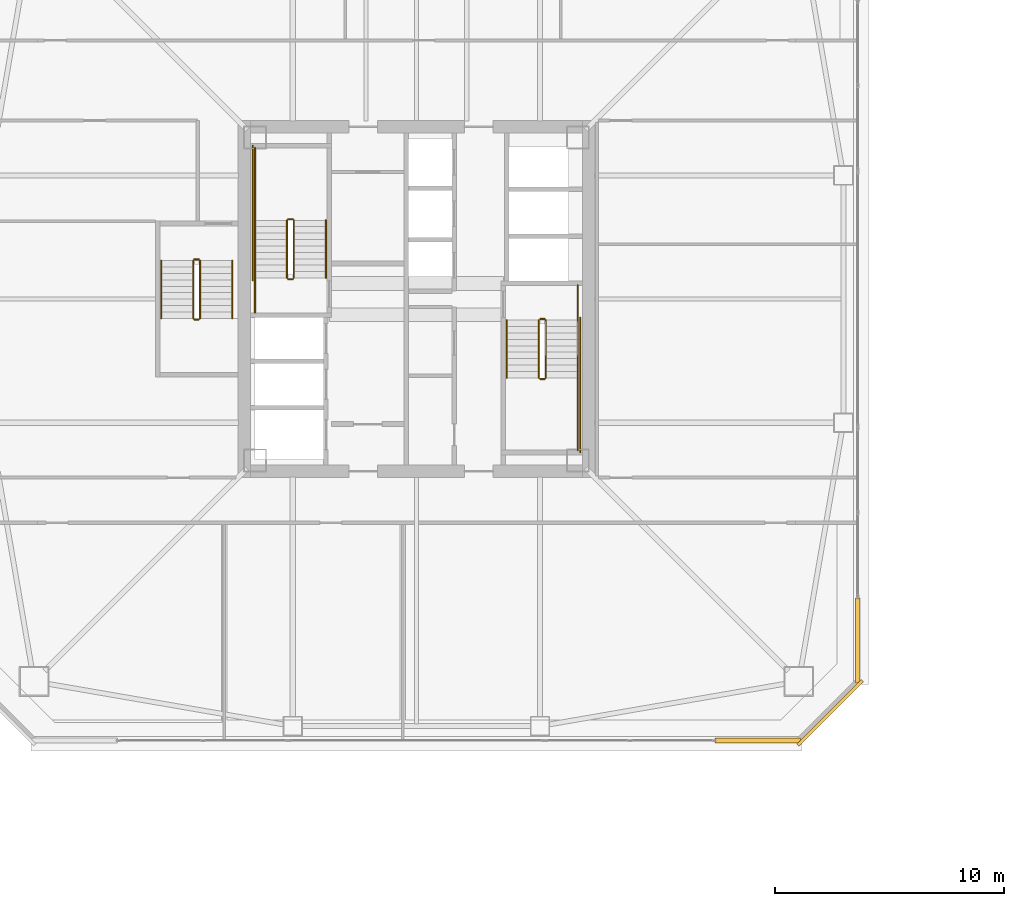
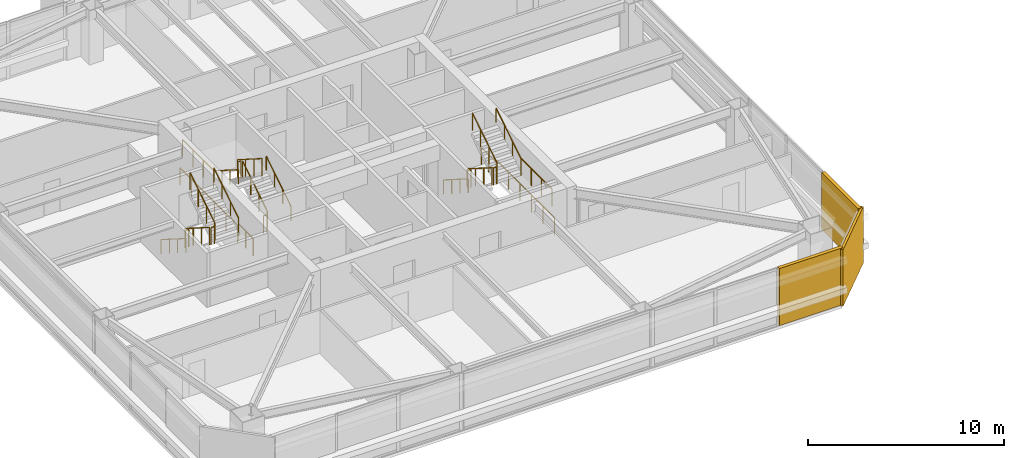
# One storey, part 40 of 44: 24 railings, 3 coverings.
"""IFC4 building model written with IfcOpenShell, lengths in metres."""

from ifc_helpers import new_model, si_unit, direction, frame, origin, origin_2d, place, context, subcontext, project, spatial, rectangle, extrude, material, layer, layer_set, type_object, element, save


model = new_model("IFC4")

# Units and contexts
model_context = context("Model", 3, precision=1e-05, world=origin(), true_north=direction((0.0, 1.0)))
body_context = subcontext(model_context, "Body", "Model", "MODEL_VIEW")
ifc_project = project(units=[si_unit("LENGTHUNIT", "METRE"), si_unit("AREAUNIT", "SQUARE_METRE"), si_unit("VOLUMEUNIT", "CUBIC_METRE"), si_unit("PLANEANGLEUNIT", "RADIAN"), si_unit("MASSUNIT", "GRAM", prefix="KILO")], contexts=[model_context])

# Site, building, storey
site_placement = place(None, origin())
site = spatial("IfcSite", under=ifc_project, at=site_placement, CompositionType="ELEMENT")
building_placement = place(site_placement, origin())
building = spatial("IfcBuilding", under=site, at=building_placement, Name="Tashvorn Skyway Center", CompositionType="ELEMENT")
storey_placement = place(building_placement, frame((0.0, 0.0, 149.89990234375)))
storey = spatial("IfcBuildingStorey", under=building, at=storey_placement, Name="L40", CompositionType="ELEMENT", Elevation=149.89990234375)

# Coverings
ifc_material_1 = material(Name="Precast concrete C40/50", Category="concrete")
ifc_layer_1 = layer(ifc_material_1, 0.199951171875)
ifc_layer_set_1 = layer_set([ifc_layer_1], Name="Precast concrete C40/50")
covering_type_1 = type_object("IfcCoveringType", Name="COV-BRACE-CLAD", PredefinedType="CLADDING", material=ifc_layer_set_1)
for number, where, z_axis, x_axis, name in (
    (1, (56.91552734375, 12.719970703125, 0.0), (0.0, 0.0, 1.0), (-1.0, 0.0, 0.0), "Tower 1 L40 South Unitised Curtain Wall Mega-Brace Cladding Band 1"),
    (2, (61.280029296875, 17.08447265625, 0.0), (0.0, 0.0, 1.0), (0.0, -1.0, 0.0), "Tower 1 L40 East Unitised Curtain Wall Mega-Brace Cladding Band 2"),
):
    element("IfcCovering", number, at=place(storey_placement, frame(where, z_axis=z_axis, x_axis=x_axis)), inside=storey, type_object=covering_type_1, Name=name, PredefinedType="CLADDING", context=body_context, shape_type="SweptSolid", body=[
        extrude(rectangle(XDim=3.72900390625, YDim=0.199951171875, at=origin_2d()), origin(), (0.0, 0.0, 1.0), 3.550048828125),
    ])
ifc_layer_2 = layer(ifc_material_1, 0.35009765625)
ifc_layer_set_2 = layer_set([ifc_layer_2], Name="Precast concrete C40/50")
covering_type_2 = type_object("IfcCoveringType", Name="COV-STONE-TRIM", PredefinedType="CLADDING", material=ifc_layer_set_2)
covering_placement = place(storey_placement, frame((60.070068359375, 13.929931640625, 0.02001953125), z_axis=(0.0, 0.0, 1.0), x_axis=(0.707106781187, 0.707106781187, 0.0)))
element("IfcCovering", 3, at=covering_placement, inside=storey, type_object=covering_type_2, Name="Tower 1 L40 SE Mojave Limestone Corner Quoin", PredefinedType="CLADDING", context=body_context, shape_type="SweptSolid", body=[
    extrude(rectangle(XDim=3.978515625, YDim=0.139892578125, at=origin_2d()), origin(), (0.0, 0.0, 1.0), 3.510009765625),
])

# Railings
ifc_material_2 = material(Name="Brushed stainless steel 316", Category="steel")
railing_type_1 = type_object("IfcRailingType", Name="RAIL-HAND-920", PredefinedType="HANDRAIL", material=ifc_material_2)
railing_1_placement = place(storey_placement, frame((38.050048828125, 32.919921875, 0.177490234375)))
element("IfcRailing", 4, at=railing_1_placement, inside=storey, type_object=railing_type_1, Name="L40 ST-T1-1 stair handrail 1", PredefinedType="HANDRAIL", context=body_context, shape_type="SweptSolid", body=[
    extrude(rectangle(XDim=0.048095703125, YDim=0.048095703125, at=origin_2d()), frame((0.0, 0.0, 0.8759765625), z_axis=(0.0, 0.84456994832, 0.535445237532), x_axis=(-1.0, 0.0, 0.0)), (0.0, 0.0, 1.0), 2.98388671875),
    extrude(rectangle(XDim=0.0419921875, YDim=0.0419921875, at=origin_2d()), origin(), (0.0, 0.0, 1.0), 0.851806640625),
    extrude(rectangle(XDim=0.0419921875, YDim=0.0419921875, at=origin_2d()), frame((0.0, 0.840087890625, 0.532470703125)), (0.0, 0.0, 1.0), 0.851806640625),
    extrude(rectangle(XDim=0.0419921875, YDim=0.0419921875, at=origin_2d()), frame((0.0, 1.679931640625, 1.065185546875)), (0.0, 0.0, 1.0), 0.851806640625),
    extrude(rectangle(XDim=0.0419921875, YDim=0.0419921875, at=origin_2d()), frame((0.0, 2.52001953125, 1.59765625)), (0.0, 0.0, 1.0), 0.851806640625),
])
railing_2_placement = place(storey_placement, frame((34.949951171875, 35.43994140625, 1.95263671875)))
element("IfcRailing", 5, at=railing_2_placement, inside=storey, type_object=railing_type_1, Name="L40 ST-T1-1 stair handrail 2", PredefinedType="HANDRAIL", context=body_context, shape_type="SweptSolid", body=[
    extrude(rectangle(XDim=0.048095703125, YDim=0.048095703125, at=origin_2d()), frame((0.0, 0.0, 0.8759765625), z_axis=(0.0, -0.84460694969, 0.535386869969), x_axis=(1.0, 0.0, 0.0)), (0.0, 0.0, 1.0), 2.983642578125),
    extrude(rectangle(XDim=0.0419921875, YDim=0.0419921875, at=origin_2d()), origin(), (0.0, 0.0, 1.0), 0.851806640625),
    extrude(rectangle(XDim=0.0419921875, YDim=0.0419921875, at=origin_2d()), frame((0.0, -0.840087890625, 0.532470703125)), (0.0, 0.0, 1.0), 0.851806640625),
    extrude(rectangle(XDim=0.0419921875, YDim=0.0419921875, at=origin_2d()), frame((0.0, -1.679931640625, 1.06494140625)), (0.0, 0.0, 1.0), 0.851806640625),
    extrude(rectangle(XDim=0.0419921875, YDim=0.0419921875, at=origin_2d()), frame((0.0, -2.52001953125, 1.597412109375)), (0.0, 0.0, 1.0), 0.851806640625),
])
railing_3_placement = place(storey_placement, frame((45.949951171875, 31.080078125, 0.177490234375)))
element("IfcRailing", 6, at=railing_3_placement, inside=storey, type_object=railing_type_1, Name="L40 ST-T1-2 stair handrail 1", PredefinedType="HANDRAIL", context=body_context, shape_type="SweptSolid", body=[
    extrude(rectangle(XDim=0.048095703125, YDim=0.048095703125, at=origin_2d()), frame((0.0, 0.0, 0.8759765625), z_axis=(0.0, -0.84456994832, 0.535445237532), x_axis=(1.0, 0.0, 0.0)), (0.0, 0.0, 1.0), 2.98388671875),
    extrude(rectangle(XDim=0.0419921875, YDim=0.0419921875, at=origin_2d()), origin(), (0.0, 0.0, 1.0), 0.851806640625),
    extrude(rectangle(XDim=0.0419921875, YDim=0.0419921875, at=origin_2d()), frame((0.0, -0.840087890625, 0.532470703125)), (0.0, 0.0, 1.0), 0.851806640625),
    extrude(rectangle(XDim=0.0419921875, YDim=0.0419921875, at=origin_2d()), frame((0.0, -1.679931640625, 1.065185546875)), (0.0, 0.0, 1.0), 0.851806640625),
    extrude(rectangle(XDim=0.0419921875, YDim=0.0419921875, at=origin_2d()), frame((0.0, -2.52001953125, 1.59765625)), (0.0, 0.0, 1.0), 0.851806640625),
])
railing_4_placement = place(storey_placement, frame((49.050048828125, 28.56005859375, 1.95263671875)))
element("IfcRailing", 7, at=railing_4_placement, inside=storey, type_object=railing_type_1, Name="L40 ST-T1-2 stair handrail 2", PredefinedType="HANDRAIL", context=body_context, shape_type="SweptSolid", body=[
    extrude(rectangle(XDim=0.048095703125, YDim=0.048095703125, at=origin_2d()), frame((0.0, 0.0, 0.8759765625), z_axis=(0.0, 0.84460694969, 0.535386869969), x_axis=(-1.0, 0.0, 0.0)), (0.0, 0.0, 1.0), 2.983642578125),
    extrude(rectangle(XDim=0.0419921875, YDim=0.0419921875, at=origin_2d()), origin(), (0.0, 0.0, 1.0), 0.851806640625),
    extrude(rectangle(XDim=0.0419921875, YDim=0.0419921875, at=origin_2d()), frame((0.0, 0.840087890625, 0.532470703125)), (0.0, 0.0, 1.0), 0.851806640625),
    extrude(rectangle(XDim=0.0419921875, YDim=0.0419921875, at=origin_2d()), frame((0.0, 1.679931640625, 1.06494140625)), (0.0, 0.0, 1.0), 0.851806640625),
    extrude(rectangle(XDim=0.0419921875, YDim=0.0419921875, at=origin_2d()), frame((0.0, 2.52001953125, 1.597412109375)), (0.0, 0.0, 1.0), 0.851806640625),
])
railing_5_placement = place(storey_placement, frame((30.85009765625, 33.679931640625, 0.177490234375)))
element("IfcRailing", 8, at=railing_5_placement, inside=storey, type_object=railing_type_1, Name="L40 ST-T1-3 stair handrail 1", PredefinedType="HANDRAIL", context=body_context, shape_type="SweptSolid", body=[
    extrude(rectangle(XDim=0.048095703125, YDim=0.048095703125, at=origin_2d()), frame((0.0, 0.0, 0.8759765625), z_axis=(0.0, -0.84456994832, 0.535445237532), x_axis=(1.0, 0.0, 0.0)), (0.0, 0.0, 1.0), 2.98388671875),
    extrude(rectangle(XDim=0.0419921875, YDim=0.0419921875, at=origin_2d()), origin(), (0.0, 0.0, 1.0), 0.851806640625),
    extrude(rectangle(XDim=0.0419921875, YDim=0.0419921875, at=origin_2d()), frame((0.0, -0.840087890625, 0.532470703125)), (0.0, 0.0, 1.0), 0.851806640625),
    extrude(rectangle(XDim=0.0419921875, YDim=0.0419921875, at=origin_2d()), frame((0.0, -1.679931640625, 1.065185546875)), (0.0, 0.0, 1.0), 0.851806640625),
    extrude(rectangle(XDim=0.0419921875, YDim=0.0419921875, at=origin_2d()), frame((0.0, -2.52001953125, 1.59765625)), (0.0, 0.0, 1.0), 0.851806640625),
])
railing_6_placement = place(storey_placement, frame((33.949951171875, 31.159912109375, 1.95263671875)))
element("IfcRailing", 9, at=railing_6_placement, inside=storey, type_object=railing_type_1, Name="L40 ST-T1-3 stair handrail 2", PredefinedType="HANDRAIL", context=body_context, shape_type="SweptSolid", body=[
    extrude(rectangle(XDim=0.048095703125, YDim=0.048095703125, at=origin_2d()), frame((0.0, 0.0, 0.8759765625), z_axis=(0.0, 0.84460694969, 0.535386869969), x_axis=(-1.0, 0.0, 0.0)), (0.0, 0.0, 1.0), 2.983642578125),
    extrude(rectangle(XDim=0.0419921875, YDim=0.0419921875, at=origin_2d()), origin(), (0.0, 0.0, 1.0), 0.851806640625),
    extrude(rectangle(XDim=0.0419921875, YDim=0.0419921875, at=origin_2d()), frame((0.0, 0.840087890625, 0.532470703125)), (0.0, 0.0, 1.0), 0.851806640625),
    extrude(rectangle(XDim=0.0419921875, YDim=0.0419921875, at=origin_2d()), frame((0.0, 1.679931640625, 1.06494140625)), (0.0, 0.0, 1.0), 0.851806640625),
    extrude(rectangle(XDim=0.0419921875, YDim=0.0419921875, at=origin_2d()), frame((0.0, 2.52001953125, 1.597412109375)), (0.0, 0.0, 1.0), 0.851806640625),
])
ifc_material_3 = material(Name="Painted galvanized steel S355", Category="steel")
railing_type_2 = type_object("IfcRailingType", Name="RAIL-STGUARD-1100", PredefinedType="GUARDRAIL", material=ifc_material_3)
railing_7_placement = place(storey_placement, frame((36.64990234375, 32.919921875, 0.177490234375)))
element("IfcRailing", 10, at=railing_7_placement, inside=storey, type_object=railing_type_2, Name="L40 ST-T1-1 stair guard 1", PredefinedType="GUARDRAIL", context=body_context, shape_type="SweptSolid", body=[
    extrude(rectangle(XDim=0.048095703125, YDim=0.048095703125, at=origin_2d()), frame((0.0, 0.0, 1.076171875), z_axis=(0.0, 0.84456994832, 0.535445237532), x_axis=(-1.0, 0.0, 0.0)), (0.0, 0.0, 1.0), 2.98388671875),
    extrude(rectangle(XDim=0.0419921875, YDim=0.0419921875, at=origin_2d()), origin(), (0.0, 0.0, 1.0), 1.052001953125),
    extrude(rectangle(XDim=0.0419921875, YDim=0.0419921875, at=origin_2d()), frame((0.0, 0.840087890625, 0.532470703125)), (0.0, 0.0, 1.0), 1.052001953125),
    extrude(rectangle(XDim=0.0419921875, YDim=0.0419921875, at=origin_2d()), frame((0.0, 1.679931640625, 1.065185546875)), (0.0, 0.0, 1.0), 1.052001953125),
    extrude(rectangle(XDim=0.0419921875, YDim=0.0419921875, at=origin_2d()), frame((0.0, 2.52001953125, 1.59765625)), (0.0, 0.0, 1.0), 1.052001953125),
])
railing_8_placement = place(storey_placement, frame((36.60009765625, 35.489990234375, 1.775146484375)))
element("IfcRailing", 11, at=railing_8_placement, inside=storey, type_object=railing_type_2, Name="L40 ST-T1-1 stair guard 2", PredefinedType="GUARDRAIL", context=body_context, shape_type="SweptSolid", body=[
    extrude(rectangle(XDim=0.048095703125, YDim=0.048095703125, at=origin_2d()), frame((0.0, 0.0, 1.076171875), z_axis=(-1.0, 0.0, 0.0), x_axis=(0.0, -1.0, 0.0)), (0.0, 0.0, 1.0), 0.2001953125),
    extrude(rectangle(XDim=0.0419921875, YDim=0.0419921875, at=origin_2d()), origin(), (0.0, 0.0, 1.0), 1.052001953125),
    extrude(rectangle(XDim=0.0419921875, YDim=0.0419921875, at=origin_2d()), frame((-0.2001953125, 0.0, 0.0)), (0.0, 0.0, 1.0), 1.052001953125),
])
railing_9_placement = place(storey_placement, frame((34.949951171875, 35.43994140625, 1.775146484375)))
element("IfcRailing", 12, at=railing_9_placement, inside=storey, type_object=railing_type_2, Name="L40 ST-T1-1 stair guard 3", PredefinedType="GUARDRAIL", context=body_context, shape_type="SweptSolid", body=[
    extrude(rectangle(XDim=0.048095703125, YDim=0.048095703125, at=origin_2d()), frame((0.0, 0.0, 1.076171875), z_axis=(0.0, 1.0, 0.0), x_axis=(-1.0, 0.0, 0.0)), (0.0, 0.0, 1.0), 3.16015625),
    extrude(rectangle(XDim=0.0419921875, YDim=0.0419921875, at=origin_2d()), origin(), (0.0, 0.0, 1.0), 1.052001953125),
    extrude(rectangle(XDim=0.0419921875, YDim=0.0419921875, at=origin_2d()), frame((0.0, 1.053466796875, 0.0)), (0.0, 0.0, 1.0), 1.052001953125),
    extrude(rectangle(XDim=0.0419921875, YDim=0.0419921875, at=origin_2d()), frame((0.0, 2.106689453125, 0.0)), (0.0, 0.0, 1.0), 1.052001953125),
    extrude(rectangle(XDim=0.0419921875, YDim=0.0419921875, at=origin_2d()), frame((0.0, 3.16015625, 0.0)), (0.0, 0.0, 1.0), 1.052001953125),
])
railing_10_placement = place(storey_placement, frame((36.35009765625, 35.43994140625, 1.95263671875)))
element("IfcRailing", 13, at=railing_10_placement, inside=storey, type_object=railing_type_2, Name="L40 ST-T1-1 stair guard 4", PredefinedType="GUARDRAIL", context=body_context, shape_type="SweptSolid", body=[
    extrude(rectangle(XDim=0.048095703125, YDim=0.048095703125, at=origin_2d()), frame((0.0, 0.0, 1.076171875), z_axis=(0.0, -0.84460694969, 0.535386869969), x_axis=(1.0, 0.0, 0.0)), (0.0, 0.0, 1.0), 2.983642578125),
    extrude(rectangle(XDim=0.0419921875, YDim=0.0419921875, at=origin_2d()), origin(), (0.0, 0.0, 1.0), 1.052001953125),
    extrude(rectangle(XDim=0.0419921875, YDim=0.0419921875, at=origin_2d()), frame((0.0, -0.840087890625, 0.532470703125)), (0.0, 0.0, 1.0), 1.052001953125),
    extrude(rectangle(XDim=0.0419921875, YDim=0.0419921875, at=origin_2d()), frame((0.0, -1.679931640625, 1.06494140625)), (0.0, 0.0, 1.0), 1.052001953125),
    extrude(rectangle(XDim=0.0419921875, YDim=0.0419921875, at=origin_2d()), frame((0.0, -2.52001953125, 1.597412109375)), (0.0, 0.0, 1.0), 1.052001953125),
])
railing_11_placement = place(storey_placement, frame((36.60009765625, 32.8701171875, 0.0)))
element("IfcRailing", 14, at=railing_11_placement, inside=storey, type_object=railing_type_2, Name="L40 ST-T1-1 stair guard 5", PredefinedType="GUARDRAIL", context=body_context, shape_type="SweptSolid", body=[
    extrude(rectangle(XDim=0.048095703125, YDim=0.048095703125, at=origin_2d()), frame((0.0, 0.0, 1.076171875), z_axis=(-1.0, 0.0, 0.0), x_axis=(0.0, -1.0, 0.0)), (0.0, 0.0, 1.0), 0.2001953125),
    extrude(rectangle(XDim=0.0419921875, YDim=0.0419921875, at=origin_2d()), origin(), (0.0, 0.0, 1.0), 1.052001953125),
    extrude(rectangle(XDim=0.0419921875, YDim=0.0419921875, at=origin_2d()), frame((-0.2001953125, 0.0, 0.0)), (0.0, 0.0, 1.0), 1.052001953125),
])
railing_12_placement = place(storey_placement, frame((34.949951171875, 31.39990234375, 0.0)))
element("IfcRailing", 15, at=railing_12_placement, inside=storey, type_object=railing_type_2, Name="L40 ST-T1-1 stair guard 6", PredefinedType="GUARDRAIL", context=body_context, shape_type="SweptSolid", body=[
    extrude(rectangle(XDim=0.048095703125, YDim=0.048095703125, at=origin_2d()), frame((0.0, 0.0, 1.076171875), z_axis=(0.0, 1.0, 0.0), x_axis=(-1.0, 0.0, 0.0)), (0.0, 0.0, 1.0), 1.52001953125),
    extrude(rectangle(XDim=0.0419921875, YDim=0.0419921875, at=origin_2d()), origin(), (0.0, 0.0, 1.0), 1.052001953125),
    extrude(rectangle(XDim=0.0419921875, YDim=0.0419921875, at=origin_2d()), frame((0.0, 0.760009765625, 0.0)), (0.0, 0.0, 1.0), 1.052001953125),
    extrude(rectangle(XDim=0.0419921875, YDim=0.0419921875, at=origin_2d()), frame((0.0, 1.52001953125, 0.0)), (0.0, 0.0, 1.0), 1.052001953125),
])
railing_13_placement = place(storey_placement, frame((34.85009765625, 32.820068359375, 0.0)))
element("IfcRailing", 16, at=railing_13_placement, inside=storey, type_object=railing_type_2, Name="L40 ST-T1-1 stair guard 7", PredefinedType="GUARDRAIL", context=body_context, shape_type="SweptSolid", body=[
    extrude(rectangle(XDim=0.048095703125, YDim=0.048095703125, at=origin_2d()), frame((0.0, 0.0, 1.076171875), z_axis=(0.0, 1.0, 0.0), x_axis=(-1.0, 0.0, 0.0)), (0.0, 0.0, 1.0), 5.8798828125),
    extrude(rectangle(XDim=0.0419921875, YDim=0.0419921875, at=origin_2d()), origin(), (0.0, 0.0, 1.0), 1.052001953125),
    extrude(rectangle(XDim=0.0419921875, YDim=0.0419921875, at=origin_2d()), frame((0.0, 1.176025390625, 0.0)), (0.0, 0.0, 1.0), 1.052001953125),
    extrude(rectangle(XDim=0.0419921875, YDim=0.0419921875, at=origin_2d()), frame((0.0, 2.35205078125, 0.0)), (0.0, 0.0, 1.0), 1.052001953125),
    extrude(rectangle(XDim=0.0419921875, YDim=0.0419921875, at=origin_2d()), frame((0.0, 3.52783203125, 0.0)), (0.0, 0.0, 1.0), 1.052001953125),
    extrude(rectangle(XDim=0.0419921875, YDim=0.0419921875, at=origin_2d()), frame((0.0, 4.703857421875, 0.0)), (0.0, 0.0, 1.0), 1.052001953125),
    extrude(rectangle(XDim=0.0419921875, YDim=0.0419921875, at=origin_2d()), frame((0.0, 5.8798828125, 0.0)), (0.0, 0.0, 1.0), 1.052001953125),
])
railing_14_placement = place(storey_placement, frame((47.35009765625, 31.080078125, 0.177490234375)))
element("IfcRailing", 17, at=railing_14_placement, inside=storey, type_object=railing_type_2, Name="L40 ST-T1-2 stair guard 1", PredefinedType="GUARDRAIL", context=body_context, shape_type="SweptSolid", body=[
    extrude(rectangle(XDim=0.048095703125, YDim=0.048095703125, at=origin_2d()), frame((0.0, 0.0, 1.076171875), z_axis=(0.0, -0.84456994832, 0.535445237532), x_axis=(1.0, 0.0, 0.0)), (0.0, 0.0, 1.0), 2.98388671875),
    extrude(rectangle(XDim=0.0419921875, YDim=0.0419921875, at=origin_2d()), origin(), (0.0, 0.0, 1.0), 1.052001953125),
    extrude(rectangle(XDim=0.0419921875, YDim=0.0419921875, at=origin_2d()), frame((0.0, -0.840087890625, 0.532470703125)), (0.0, 0.0, 1.0), 1.052001953125),
    extrude(rectangle(XDim=0.0419921875, YDim=0.0419921875, at=origin_2d()), frame((0.0, -1.679931640625, 1.065185546875)), (0.0, 0.0, 1.0), 1.052001953125),
    extrude(rectangle(XDim=0.0419921875, YDim=0.0419921875, at=origin_2d()), frame((0.0, -2.52001953125, 1.59765625)), (0.0, 0.0, 1.0), 1.052001953125),
])
railing_15_placement = place(storey_placement, frame((47.39990234375, 28.510009765625, 1.775146484375)))
element("IfcRailing", 18, at=railing_15_placement, inside=storey, type_object=railing_type_2, Name="L40 ST-T1-2 stair guard 2", PredefinedType="GUARDRAIL", context=body_context, shape_type="SweptSolid", body=[
    extrude(rectangle(XDim=0.048095703125, YDim=0.048095703125, at=origin_2d()), frame((0.0, 0.0, 1.076171875), z_axis=(1.0, 0.0, 0.0), x_axis=(0.0, 1.0, 0.0)), (0.0, 0.0, 1.0), 0.2001953125),
    extrude(rectangle(XDim=0.0419921875, YDim=0.0419921875, at=origin_2d()), origin(), (0.0, 0.0, 1.0), 1.052001953125),
    extrude(rectangle(XDim=0.0419921875, YDim=0.0419921875, at=origin_2d()), frame((0.2001953125, 0.0, 0.0)), (0.0, 0.0, 1.0), 1.052001953125),
])
railing_16_placement = place(storey_placement, frame((49.050048828125, 28.56005859375, 1.775146484375)))
element("IfcRailing", 19, at=railing_16_placement, inside=storey, type_object=railing_type_2, Name="L40 ST-T1-2 stair guard 3", PredefinedType="GUARDRAIL", context=body_context, shape_type="SweptSolid", body=[
    extrude(rectangle(XDim=0.048095703125, YDim=0.048095703125, at=origin_2d()), frame((0.0, 0.0, 1.076171875), z_axis=(0.0, -1.0, 0.0), x_axis=(1.0, 0.0, 0.0)), (0.0, 0.0, 1.0), 3.16015625),
    extrude(rectangle(XDim=0.0419921875, YDim=0.0419921875, at=origin_2d()), origin(), (0.0, 0.0, 1.0), 1.052001953125),
    extrude(rectangle(XDim=0.0419921875, YDim=0.0419921875, at=origin_2d()), frame((0.0, -1.053466796875, 0.0)), (0.0, 0.0, 1.0), 1.052001953125),
    extrude(rectangle(XDim=0.0419921875, YDim=0.0419921875, at=origin_2d()), frame((0.0, -2.106689453125, 0.0)), (0.0, 0.0, 1.0), 1.052001953125),
    extrude(rectangle(XDim=0.0419921875, YDim=0.0419921875, at=origin_2d()), frame((0.0, -3.16015625, 0.0)), (0.0, 0.0, 1.0), 1.052001953125),
])
railing_17_placement = place(storey_placement, frame((47.64990234375, 28.56005859375, 1.95263671875)))
element("IfcRailing", 20, at=railing_17_placement, inside=storey, type_object=railing_type_2, Name="L40 ST-T1-2 stair guard 4", PredefinedType="GUARDRAIL", context=body_context, shape_type="SweptSolid", body=[
    extrude(rectangle(XDim=0.048095703125, YDim=0.048095703125, at=origin_2d()), frame((0.0, 0.0, 1.076171875), z_axis=(0.0, 0.84460694969, 0.535386869969), x_axis=(-1.0, 0.0, 0.0)), (0.0, 0.0, 1.0), 2.983642578125),
    extrude(rectangle(XDim=0.0419921875, YDim=0.0419921875, at=origin_2d()), origin(), (0.0, 0.0, 1.0), 1.052001953125),
    extrude(rectangle(XDim=0.0419921875, YDim=0.0419921875, at=origin_2d()), frame((0.0, 0.840087890625, 0.532470703125)), (0.0, 0.0, 1.0), 1.052001953125),
    extrude(rectangle(XDim=0.0419921875, YDim=0.0419921875, at=origin_2d()), frame((0.0, 1.679931640625, 1.06494140625)), (0.0, 0.0, 1.0), 1.052001953125),
    extrude(rectangle(XDim=0.0419921875, YDim=0.0419921875, at=origin_2d()), frame((0.0, 2.52001953125, 1.597412109375)), (0.0, 0.0, 1.0), 1.052001953125),
])
railing_18_placement = place(storey_placement, frame((47.39990234375, 31.1298828125, 0.0)))
element("IfcRailing", 21, at=railing_18_placement, inside=storey, type_object=railing_type_2, Name="L40 ST-T1-2 stair guard 5", PredefinedType="GUARDRAIL", context=body_context, shape_type="SweptSolid", body=[
    extrude(rectangle(XDim=0.048095703125, YDim=0.048095703125, at=origin_2d()), frame((0.0, 0.0, 1.076171875), z_axis=(1.0, 0.0, 0.0), x_axis=(0.0, 1.0, 0.0)), (0.0, 0.0, 1.0), 0.2001953125),
    extrude(rectangle(XDim=0.0419921875, YDim=0.0419921875, at=origin_2d()), origin(), (0.0, 0.0, 1.0), 1.052001953125),
    extrude(rectangle(XDim=0.0419921875, YDim=0.0419921875, at=origin_2d()), frame((0.2001953125, 0.0, 0.0)), (0.0, 0.0, 1.0), 1.052001953125),
])
railing_19_placement = place(storey_placement, frame((49.050048828125, 32.60009765625, 0.0)))
element("IfcRailing", 22, at=railing_19_placement, inside=storey, type_object=railing_type_2, Name="L40 ST-T1-2 stair guard 6", PredefinedType="GUARDRAIL", context=body_context, shape_type="SweptSolid", body=[
    extrude(rectangle(XDim=0.048095703125, YDim=0.048095703125, at=origin_2d()), frame((0.0, 0.0, 1.076171875), z_axis=(0.0, -1.0, 0.0), x_axis=(1.0, 0.0, 0.0)), (0.0, 0.0, 1.0), 1.52001953125),
    extrude(rectangle(XDim=0.0419921875, YDim=0.0419921875, at=origin_2d()), origin(), (0.0, 0.0, 1.0), 1.052001953125),
    extrude(rectangle(XDim=0.0419921875, YDim=0.0419921875, at=origin_2d()), frame((0.0, -0.760009765625, 0.0)), (0.0, 0.0, 1.0), 1.052001953125),
    extrude(rectangle(XDim=0.0419921875, YDim=0.0419921875, at=origin_2d()), frame((0.0, -1.52001953125, 0.0)), (0.0, 0.0, 1.0), 1.052001953125),
])
railing_20_placement = place(storey_placement, frame((49.14990234375, 31.179931640625, 0.0)))
element("IfcRailing", 23, at=railing_20_placement, inside=storey, type_object=railing_type_2, Name="L40 ST-T1-2 stair guard 7", PredefinedType="GUARDRAIL", context=body_context, shape_type="SweptSolid", body=[
    extrude(rectangle(XDim=0.048095703125, YDim=0.048095703125, at=origin_2d()), frame((0.0, 0.0, 1.076171875), z_axis=(0.0, -1.0, 0.0), x_axis=(1.0, 0.0, 0.0)), (0.0, 0.0, 1.0), 5.8798828125),
    extrude(rectangle(XDim=0.0419921875, YDim=0.0419921875, at=origin_2d()), origin(), (0.0, 0.0, 1.0), 1.052001953125),
    extrude(rectangle(XDim=0.0419921875, YDim=0.0419921875, at=origin_2d()), frame((0.0, -1.176025390625, 0.0)), (0.0, 0.0, 1.0), 1.052001953125),
    extrude(rectangle(XDim=0.0419921875, YDim=0.0419921875, at=origin_2d()), frame((0.0, -2.35205078125, 0.0)), (0.0, 0.0, 1.0), 1.052001953125),
    extrude(rectangle(XDim=0.0419921875, YDim=0.0419921875, at=origin_2d()), frame((0.0, -3.52783203125, 0.0)), (0.0, 0.0, 1.0), 1.052001953125),
    extrude(rectangle(XDim=0.0419921875, YDim=0.0419921875, at=origin_2d()), frame((0.0, -4.703857421875, 0.0)), (0.0, 0.0, 1.0), 1.052001953125),
    extrude(rectangle(XDim=0.0419921875, YDim=0.0419921875, at=origin_2d()), frame((0.0, -5.8798828125, 0.0)), (0.0, 0.0, 1.0), 1.052001953125),
])
railing_21_placement = place(storey_placement, frame((32.25, 33.679931640625, 0.177490234375)))
element("IfcRailing", 24, at=railing_21_placement, inside=storey, type_object=railing_type_2, Name="L40 ST-T1-3 stair guard 1", PredefinedType="GUARDRAIL", context=body_context, shape_type="SweptSolid", body=[
    extrude(rectangle(XDim=0.048095703125, YDim=0.048095703125, at=origin_2d()), frame((0.0, 0.0, 1.076171875), z_axis=(0.0, -0.84456994832, 0.535445237532), x_axis=(1.0, 0.0, 0.0)), (0.0, 0.0, 1.0), 2.98388671875),
    extrude(rectangle(XDim=0.0419921875, YDim=0.0419921875, at=origin_2d()), origin(), (0.0, 0.0, 1.0), 1.052001953125),
    extrude(rectangle(XDim=0.0419921875, YDim=0.0419921875, at=origin_2d()), frame((0.0, -0.840087890625, 0.532470703125)), (0.0, 0.0, 1.0), 1.052001953125),
    extrude(rectangle(XDim=0.0419921875, YDim=0.0419921875, at=origin_2d()), frame((0.0, -1.679931640625, 1.065185546875)), (0.0, 0.0, 1.0), 1.052001953125),
    extrude(rectangle(XDim=0.0419921875, YDim=0.0419921875, at=origin_2d()), frame((0.0, -2.52001953125, 1.59765625)), (0.0, 0.0, 1.0), 1.052001953125),
])
railing_22_placement = place(storey_placement, frame((32.300048828125, 31.110107421875, 1.775146484375)))
element("IfcRailing", 25, at=railing_22_placement, inside=storey, type_object=railing_type_2, Name="L40 ST-T1-3 stair guard 2", PredefinedType="GUARDRAIL", context=body_context, shape_type="SweptSolid", body=[
    extrude(rectangle(XDim=0.048095703125, YDim=0.048095703125, at=origin_2d()), frame((0.0, 0.0, 1.076171875), z_axis=(1.0, 0.0, 0.0), x_axis=(0.0, 1.0, 0.0)), (0.0, 0.0, 1.0), 0.199951171875),
    extrude(rectangle(XDim=0.0419921875, YDim=0.0419921875, at=origin_2d()), origin(), (0.0, 0.0, 1.0), 1.052001953125),
    extrude(rectangle(XDim=0.0419921875, YDim=0.0419921875, at=origin_2d()), frame((0.199951171875, 0.0, 0.0)), (0.0, 0.0, 1.0), 1.052001953125),
])
railing_23_placement = place(storey_placement, frame((32.550048828125, 31.159912109375, 1.95263671875)))
element("IfcRailing", 26, at=railing_23_placement, inside=storey, type_object=railing_type_2, Name="L40 ST-T1-3 stair guard 3", PredefinedType="GUARDRAIL", context=body_context, shape_type="SweptSolid", body=[
    extrude(rectangle(XDim=0.048095703125, YDim=0.048095703125, at=origin_2d()), frame((0.0, 0.0, 1.076171875), z_axis=(0.0, 0.84460694969, 0.535386869969), x_axis=(-1.0, 0.0, 0.0)), (0.0, 0.0, 1.0), 2.983642578125),
    extrude(rectangle(XDim=0.0419921875, YDim=0.0419921875, at=origin_2d()), origin(), (0.0, 0.0, 1.0), 1.052001953125),
    extrude(rectangle(XDim=0.0419921875, YDim=0.0419921875, at=origin_2d()), frame((0.0, 0.840087890625, 0.532470703125)), (0.0, 0.0, 1.0), 1.052001953125),
    extrude(rectangle(XDim=0.0419921875, YDim=0.0419921875, at=origin_2d()), frame((0.0, 1.679931640625, 1.06494140625)), (0.0, 0.0, 1.0), 1.052001953125),
    extrude(rectangle(XDim=0.0419921875, YDim=0.0419921875, at=origin_2d()), frame((0.0, 2.52001953125, 1.597412109375)), (0.0, 0.0, 1.0), 1.052001953125),
])
railing_24_placement = place(storey_placement, frame((32.300048828125, 33.72998046875, 0.0)))
element("IfcRailing", 27, at=railing_24_placement, inside=storey, type_object=railing_type_2, Name="L40 ST-T1-3 stair guard 4", PredefinedType="GUARDRAIL", context=body_context, shape_type="SweptSolid", body=[
    extrude(rectangle(XDim=0.048095703125, YDim=0.048095703125, at=origin_2d()), frame((0.0, 0.0, 1.076171875), z_axis=(1.0, 0.0, 0.0), x_axis=(0.0, 1.0, 0.0)), (0.0, 0.0, 1.0), 0.199951171875),
    extrude(rectangle(XDim=0.0419921875, YDim=0.0419921875, at=origin_2d()), origin(), (0.0, 0.0, 1.0), 1.052001953125),
    extrude(rectangle(XDim=0.0419921875, YDim=0.0419921875, at=origin_2d()), frame((0.199951171875, 0.0, 0.0)), (0.0, 0.0, 1.0), 1.052001953125),
])

save(model, "model.ifc")
